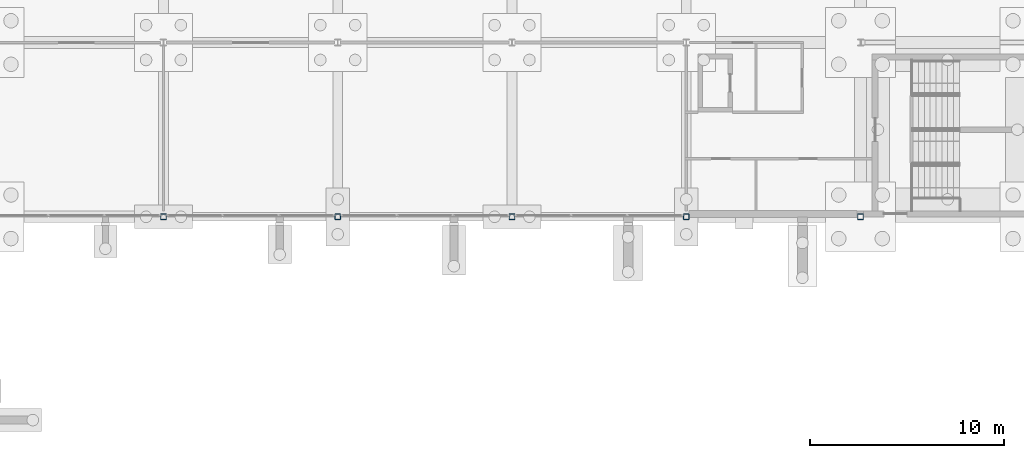
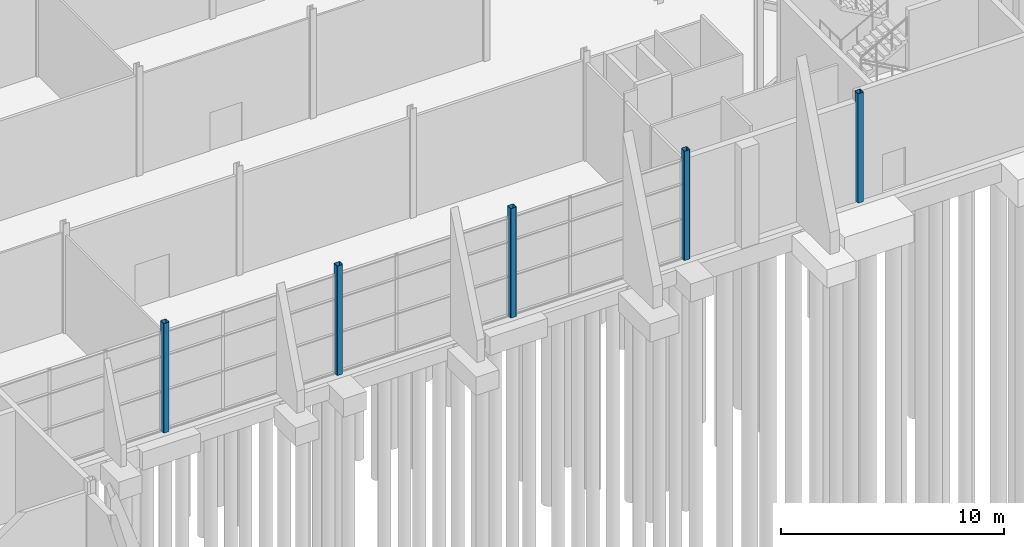
# One storey, part 33 of 139: 5 columns.
"""IFC4 building model written with IfcOpenShell, lengths in metres."""

from ifc_helpers import new_model, si_unit, direction, frame, origin, origin_2d, place, context, subcontext, project, spatial, hollow_rectangle, extrude, material, material_profile, profile_set, type_object, element, save


model = new_model("IFC4")

# Units and contexts
model_context = context("Model", 3, precision=1e-05, world=origin(), true_north=direction((0.0, 1.0)))
body_context = subcontext(model_context, "Body", "Model", "MODEL_VIEW")
ifc_project = project(units=[si_unit("LENGTHUNIT", "METRE"), si_unit("AREAUNIT", "SQUARE_METRE"), si_unit("VOLUMEUNIT", "CUBIC_METRE"), si_unit("PLANEANGLEUNIT", "RADIAN"), si_unit("MASSUNIT", "GRAM", prefix="KILO")], contexts=[model_context])

# Site, building, storey
site_placement = place(None, origin())
site = spatial("IfcSite", under=ifc_project, at=site_placement, CompositionType="ELEMENT")
building_placement = place(site_placement, origin())
building = spatial("IfcBuilding", under=site, at=building_placement, Name="Shorebreak Coast Museum", CompositionType="ELEMENT")
storey_placement = place(building_placement, origin())
storey = spatial("IfcBuildingStorey", under=building, at=storey_placement, Name="L00", CompositionType="ELEMENT", Elevation=0.0)

# Columns
ifc_material = material(Name="Steel Grade C450L0", Category="steel")
ifc_material_profile = material_profile(ifc_material, hollow_rectangle(XDim=0.300048828125, YDim=0.300048828125, WallThickness=0.012451171875, InnerFilletRadius=0.018798828125, OuterFilletRadius=0.03125, at=origin_2d()), Name="300x300x12.5 SHS")
ifc_profile_set = profile_set([ifc_material_profile], Name="Steel Grade C450L0")
column_type = type_object("IfcColumnType", Name="Column 300x300x12.5 SHS", PredefinedType="COLUMN", material=ifc_profile_set)
for number, where, z_axis, x_axis, name in (
    (1, (126.0, 54.0, 0.0), (0.0, 0.0, 1.0), (1.0, 0.0, 0.0), "Column L00 15G"),
    (2, (135.0, 54.0, 0.0), (0.0, 0.0, 1.0), (1.0, 0.0, 0.0), "Column L00 16G"),
    (3, (144.0, 54.0, 0.0), (0.0, 0.0, 1.0), (1.0, 0.0, 0.0), "Column L00 17G"),
    (4, (153.0, 54.0, 0.0), (0.0, 0.0, 1.0), (1.0, 0.0, 0.0), "Column L00 18G"),
    (5, (162.0, 54.0, 0.0), (0.0, 0.0, 1.0), (1.0, 0.0, 0.0), "Column L00 19G"),
):
    element("IfcColumn", number, at=place(storey_placement, frame(where, z_axis=z_axis, x_axis=x_axis)), inside=storey, type_object=column_type, Name=name, PredefinedType="COLUMN", context=body_context, shape_type="SweptSolid", body=[
        extrude(hollow_rectangle(XDim=0.300048828125, YDim=0.300048828125, WallThickness=0.012451171875, InnerFilletRadius=0.018798828125, OuterFilletRadius=0.03125, at=origin_2d()), origin(), (0.0, 0.0, 1.0), 6.0),
    ])

save(model, "model.ifc")
